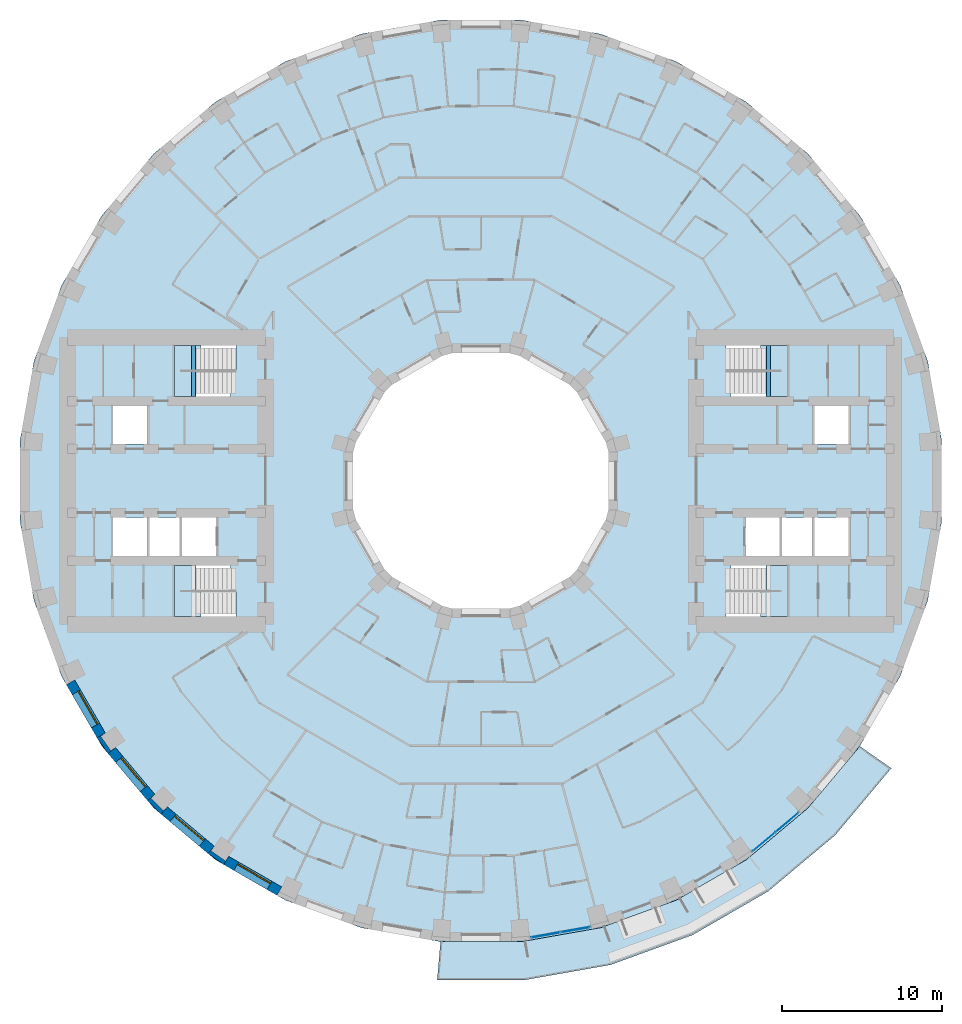
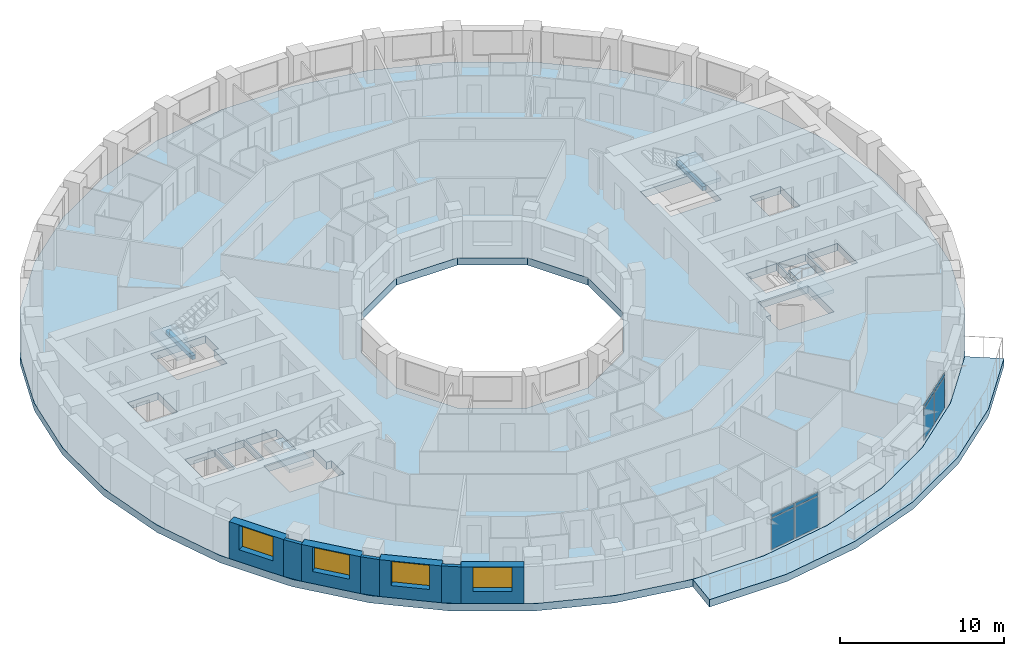
# One storey, part 4 of 17: 8 plates, 7 walls, 6 slabs, 4 windows, 2 beams, 4 openings, 6 elements without a shape of their own.
"""IFC4 building model written with IfcOpenShell, lengths in metres."""

import ifcopenshell
import ifcopenshell.guid

model = None  # the IFC model being written
_history = None  # IfcOwnerHistory: only IFC2X3 demands one
_inside = {}  # id of a spatial element -> (the spatial element, [elements in it])
_under = {}  # id of a project, library or spatial element -> (it, [spatial elements below it])
_declared = {}  # id of a project -> (the project, [libraries it declares])
_typed = {}  # id of a type object -> (the type object, [elements of that type])
_made_of = {}  # id of a material, layer set ... -> (it, [elements and type objects made of it])


def new_model(schema):
    """Start an empty IFC model of exactly this schema.

    Asked for "IFC4X3", IfcOpenShell would pick the latest addendum, in which some entities
    have other attributes; the version numbers below select the first issue.
    IFC2X3 requires an IfcOwnerHistory on every rooted entity: one is made here for all.
    """
    global model, _history
    if schema == "IFC4X3":
        model = ifcopenshell.file(schema_version=(4, 3, 0, 0))
    else:
        model = ifcopenshell.file(schema=schema)
    _inside.clear()
    _under.clear()
    _declared.clear()
    _typed.clear()
    _made_of.clear()
    _history = None
    if model.schema == "IFC2X3":
        org = make("IfcOrganization", Name="unknown")
        user = make(
            "IfcPersonAndOrganization",
            ThePerson=make("IfcPerson", FamilyName="unknown"),
            TheOrganization=org,
        )
        app = make(
            "IfcApplication",
            ApplicationDeveloper=org,
            Version="unknown",
            ApplicationFullName="unknown",
            ApplicationIdentifier="unknown",
        )
        _history = make(
            "IfcOwnerHistory",
            OwningUser=user,
            OwningApplication=app,
            ChangeAction="ADDED",
            CreationDate=0,
        )
    return model


def make(cls, **values):
    """One entity of the class cls with the attributes given. An attribute that is None is left unset."""
    return model.create_entity(
        cls, **{name: value for name, value in values.items() if value is not None}
    )


def rooted(cls, **values):
    """An entity with a GlobalId (a new one), such as an element, a storey or a relation."""
    return make(cls, GlobalId=ifcopenshell.guid.new(), OwnerHistory=_history, **values)


def si_unit(unit_type, name, prefix=None):
    """IfcSIUnit, for example si_unit("LENGTHUNIT", "METRE", prefix="MILLI")."""
    return make("IfcSIUnit", UnitType=unit_type, Prefix=prefix, Name=name)


def assignment(units):
    """IfcUnitAssignment: the units of a project."""
    return None if units is None else make("IfcUnitAssignment", Units=units)


def point(xyz):
    """IfcCartesianPoint."""
    return None if xyz is None else make("IfcCartesianPoint", Coordinates=xyz)


def direction(xyz):
    """IfcDirection."""
    return None if xyz is None else make("IfcDirection", DirectionRatios=xyz)


def frame(location, z_axis=None, x_axis=None):
    """IfcAxis2Placement3D, a coordinate frame: its origin and axes. An axis left out is left unset."""
    return make(
        "IfcAxis2Placement3D",
        Location=point(location),
        Axis=direction(z_axis),
        RefDirection=direction(x_axis),
    )


def frame_2d(location, x_axis=None):
    """IfcAxis2Placement2D, a coordinate frame in the plane: its origin and x axis."""
    return make(
        "IfcAxis2Placement2D", Location=point(location), RefDirection=direction(x_axis)
    )


def origin():
    """The frame at (0, 0, 0) with its axes left unset."""
    return frame((0.0, 0.0, 0.0))


def origin_2d():
    """The frame at (0, 0) in the plane with its x axis left unset."""
    return frame_2d((0.0, 0.0))


def place(relative_to, where):
    """IfcLocalPlacement: puts the frame where relative to a parent placement (None: the world)."""
    return make(
        "IfcLocalPlacement", PlacementRelTo=relative_to, RelativePlacement=where
    )


def context(
    kind, dimensions, precision=None, world=None, true_north=None, identifier=None
):
    """IfcGeometricRepresentationContext, for example the 3D "Model" context."""
    return make(
        "IfcGeometricRepresentationContext",
        ContextIdentifier=identifier,
        ContextType=kind,
        CoordinateSpaceDimension=dimensions,
        Precision=precision,
        WorldCoordinateSystem=world,
        TrueNorth=true_north,
    )


def subcontext(parent, identifier, kind, view, scale=None):
    """IfcGeometricRepresentationSubContext, for example "Body" below "Model"."""
    return make(
        "IfcGeometricRepresentationSubContext",
        ContextIdentifier=identifier,
        ContextType=kind,
        ParentContext=parent,
        TargetScale=scale,
        TargetView=view,
    )


def project(units=None, contexts=None):
    """IfcProject with its units and contexts."""
    return rooted(
        "IfcProject",
        Name="project",
        RepresentationContexts=contexts,
        UnitsInContext=assignment(units),
    )


def spatial(cls, under=None, at=None, **own):
    """A site, building, storey or space (cls), placed at a placement, below another one or the project."""
    s = rooted(cls, ObjectPlacement=at, **own)
    if under is not None:
        _under.setdefault(under.id(), (under, []))[1].append(s)
    return s


def polyline(points):
    """IfcPolyline through the points."""
    return make("IfcPolyline", Points=[point(p) for p in points])


def profile(cls, at=None, kind="AREA", **sizes):
    """A parametric profile (cls). Its sizes go by their IFC names, for example OverallWidth=200.0."""
    return make(cls, ProfileType=kind, Position=at, **sizes)


def rectangle(**sizes):
    """IfcRectangleProfileDef."""
    return profile("IfcRectangleProfileDef", **sizes)


def outline(outer, holes=None, kind="AREA"):
    """IfcArbitraryClosedProfileDef: a profile drawn as a closed curve; with holes, ...WithVoids."""
    if holes is None:
        return make("IfcArbitraryClosedProfileDef", ProfileType=kind, OuterCurve=outer)
    return make(
        "IfcArbitraryProfileDefWithVoids",
        ProfileType=kind,
        OuterCurve=outer,
        InnerCurves=holes,
    )


def extrude(swept, where, along, depth):
    """IfcExtrudedAreaSolid: the profile swept, set in the frame where, extruded along a direction by depth."""
    return make(
        "IfcExtrudedAreaSolid",
        SweptArea=swept,
        Position=where,
        ExtrudedDirection=direction(along),
        Depth=depth,
    )


def shape(context_of_items, identifier, shape_type, items):
    """IfcShapeRepresentation: the items that make up one representation, for example the "Body"."""
    return make(
        "IfcShapeRepresentation",
        ContextOfItems=context_of_items,
        RepresentationIdentifier=identifier,
        RepresentationType=shape_type,
        Items=items,
    )


def material(Name=None, Category=None):
    """IfcMaterial."""
    return make("IfcMaterial", Name=Name, Category=Category)


def layer(
    of_material, thickness, ventilated=None, Name=None, Category=None, Priority=None
):
    """IfcMaterialLayer: one layer of a wall or slab, of a material (None: an air gap)."""
    return make(
        "IfcMaterialLayer",
        Material=of_material,
        LayerThickness=thickness,
        IsVentilated=ventilated,
        Name=Name,
        Category=Category,
        Priority=Priority,
    )


def layer_set(layers, Name=None):
    """IfcMaterialLayerSet."""
    return make("IfcMaterialLayerSet", MaterialLayers=layers, LayerSetName=Name)


def material_profile(
    of_material, cross_section, Name=None, Category=None, Priority=None
):
    """IfcMaterialProfile: a cross section and its material."""
    return make(
        "IfcMaterialProfile",
        Name=Name,
        Material=of_material,
        Profile=cross_section,
        Priority=Priority,
        Category=Category,
    )


def profile_set(profiles, Name=None, composite=None):
    """IfcMaterialProfileSet."""
    return make(
        "IfcMaterialProfileSet",
        Name=Name,
        MaterialProfiles=profiles,
        CompositeProfile=composite,
    )


def made_of(thing, what):
    """Note that an element or type object is made of a material, layer set ...; save() writes the relation."""
    if what is not None:
        _made_of.setdefault(what.id(), (what, []))[1].append(thing)
    return thing


def type_object(cls, material=None, **own):
    """A type object (cls), such as IfcWallType, which elements share."""
    return made_of(rooted(cls, **own), material)


def element(
    cls,
    number,
    at=None,
    inside=None,
    cuts=None,
    type_object=None,
    material=None,
    context=None,
    identifier="Body",
    shape_type=None,
    held_by="IfcProductDefinitionShape",
    body=None,
    shapes=None,
    **own,
):
    """One element of the class cls, such as IfcWall. Its Tag is "e" and its number.

    at: its placement. inside: the storey or other place that contains it. cuts: it is an
    opening in that element (IfcRelVoidsElement). A single representation is given by context,
    identifier, shape_type and body (its items); several are given by shapes. held_by: the class
    of the entity that holds the representations. save() writes the other relations.
    """
    e = rooted(cls, Tag="e%d" % number, ObjectPlacement=at, **own)
    if body is not None:
        shapes = [shape(context, identifier, shape_type, body)]
    if shapes is not None:
        e.Representation = make(held_by, Representations=shapes)
    if inside is not None:
        _inside.setdefault(inside.id(), (inside, []))[1].append(e)
    if cuts is not None:
        rooted(
            "IfcRelVoidsElement", RelatingBuildingElement=cuts, RelatedOpeningElement=e
        )
    if type_object is not None:
        _typed.setdefault(type_object.id(), (type_object, []))[1].append(e)
    return made_of(e, material)


def fill(opening, filler):
    """IfcRelFillsElement: the door or window that sits in an opening."""
    return rooted(
        "IfcRelFillsElement",
        RelatingOpeningElement=opening,
        RelatedBuildingElement=filler,
    )


def aggregate(whole, parts):
    """IfcRelAggregates: a whole, such as a stair, and the parts it consists of."""
    return rooted("IfcRelAggregates", RelatingObject=whole, RelatedObjects=parts)


def save(model, path):
    """Write the relations noted so far, then the file.

    IfcRelAggregates (storeys below a building ...), IfcRelContainedInSpatialStructure (elements
    in a storey), IfcRelDefinesByType, IfcRelAssociatesMaterial and IfcRelDeclares: one each for
    every whole, place, type object, material and project.
    """
    for whole, parts in _under.values():
        aggregate(whole, parts)
    for where, things in _inside.values():
        rooted(
            "IfcRelContainedInSpatialStructure",
            RelatedElements=things,
            RelatingStructure=where,
        )
    for kind, things in _typed.values():
        rooted("IfcRelDefinesByType", RelatedObjects=things, RelatingType=kind)
    for what, things in _made_of.values():
        rooted("IfcRelAssociatesMaterial", RelatedObjects=things, RelatingMaterial=what)
    for by, libraries in _declared.values():
        rooted("IfcRelDeclares", RelatingContext=by, RelatedDefinitions=libraries)
    model.write(path)


model = new_model("IFC4")

# Units and contexts
model_context = context("Model", 3, precision=1e-05, world=origin(), true_north=direction((0.0, 1.0)))
body_context = subcontext(model_context, "Body", "Model", "MODEL_VIEW")
ifc_project = project(units=[si_unit("LENGTHUNIT", "METRE"), si_unit("AREAUNIT", "SQUARE_METRE"), si_unit("VOLUMEUNIT", "CUBIC_METRE"), si_unit("PLANEANGLEUNIT", "RADIAN"), si_unit("MASSUNIT", "GRAM", prefix="KILO")], contexts=[model_context])

# Site, building, storey
site_placement = place(None, origin())
site = spatial("IfcSite", under=ifc_project, at=site_placement, CompositionType="ELEMENT")
building_placement = place(site_placement, origin())
building = spatial("IfcBuilding", under=site, at=building_placement, Name="Saqina Gate Tower", CompositionType="ELEMENT")
storey_placement = place(building_placement, frame((0.0, 0.0, 29.60009765625)))
storey = spatial("IfcBuildingStorey", under=building, at=storey_placement, Name="L07", CompositionType="ELEMENT", Elevation=29.60009765625)

# Beams
ifc_material_1 = material(Name="Concrete C40/50", Category="concrete")
ifc_material_profile = material_profile(ifc_material_1, rectangle(XDim=0.25, YDim=0.300048828125, at=origin_2d()), Name="STAIR LANDING BEAM")
ifc_profile_set = profile_set([ifc_material_profile], Name="Concrete C40/50")
beam_type = type_object("IfcBeamType", Name="STAIR LANDING BEAM", PredefinedType="BEAM", material=ifc_profile_set)
for number, where, z_axis, x_axis, name in (
    (1, (18.02001953125, 5.300048828125, 1.25), (0.0, 1.0, 0.0), (-1.0, 0.0, 0.0), "EXIT STAIR 1 LANDING BEAM"),
    (2, (-18.02001953125, 5.300048828125, 1.25), (0.0, 1.0, 0.0), (-1.0, 0.0, 0.0), "EXIT STAIR 3 LANDING BEAM"),
):
    element("IfcBeam", number, at=place(storey_placement, frame(where, z_axis=z_axis, x_axis=x_axis)), inside=storey, type_object=beam_type, Name=name, PredefinedType="BEAM", context=body_context, shape_type="SweptSolid", body=[
        extrude(rectangle(XDim=0.25, YDim=0.300048828125, at=origin_2d()), origin(), (0.0, 0.0, 1.0), 3.199951171875),
    ])

# Curtain wall, plates
ifc_material_2 = material(Name="Aluminium glazing", Category="aluminium")
ifc_layer_1 = layer(ifc_material_2, 0.159912109375)
ifc_layer_set_1 = layer_set([ifc_layer_1], Name="CWT-4")
curtain_wall_type = type_object("IfcCurtainWallType", Name="CWT-4", PredefinedType="NOTDEFINED", material=ifc_layer_set_1)
curtain_wall_1_placement = place(storey_placement, origin())
curtain_wall_1 = element("IfcCurtainWall", 3, at=curtain_wall_1_placement, inside=storey, type_object=curtain_wall_type, Name="Terrace lounge glazing facet 28", PredefinedType="NOTDEFINED")
ifc_material_3 = material(Name="Glass", Category="glass")
ifc_layer_2 = layer(ifc_material_3, 0.028076171875)
ifc_layer_set_2 = layer_set([ifc_layer_2], Name="CWT-4P")
plate_type = type_object("IfcPlateType", Name="CWT-4P", PredefinedType="CURTAIN_PANEL", material=ifc_layer_set_2)
plate_1_placement = place(storey_placement, frame((4.05859375, -28.46728515625, 0.059814453125), z_axis=(0.0, 0.0, 1.0), x_axis=(0.984808678199, 0.17364293059, 0.0)))
plate_1 = element("IfcPlate", 4, at=plate_1_placement, type_object=plate_type, Name="CW4-28 panel 1.1", PredefinedType="CURTAIN_PANEL", context=body_context, shape_type="SweptSolid", body=[
    extrude(rectangle(XDim=1.8330078125, YDim=0.028076171875, at=origin_2d()), origin(), (0.0, 0.0, 1.0), 2.31005859375),
])
plate_2_placement = place(storey_placement, frame((4.05859375, -28.46728515625, 2.4296875), z_axis=(0.0, 0.0, 1.0), x_axis=(0.984808678199, 0.17364293059, 0.0)))
plate_2 = element("IfcPlate", 5, at=plate_2_placement, type_object=plate_type, Name="CW4-28 panel 1.2", PredefinedType="CURTAIN_PANEL", context=body_context, shape_type="SweptSolid", body=[
    extrude(rectangle(XDim=1.8330078125, YDim=0.028076171875, at=origin_2d()), origin(), (0.0, 0.0, 1.0), 0.260009765625),
])
plate_3_placement = place(storey_placement, frame((5.922607421875, -28.138671875, 0.059814453125), z_axis=(0.0, 0.0, 1.0), x_axis=(0.984808678199, 0.17364293059, 0.0)))
plate_3 = element("IfcPlate", 6, at=plate_3_placement, type_object=plate_type, Name="CW4-28 panel 2.1", PredefinedType="CURTAIN_PANEL", context=body_context, shape_type="SweptSolid", body=[
    extrude(rectangle(XDim=1.8330078125, YDim=0.028076171875, at=origin_2d()), origin(), (0.0, 0.0, 1.0), 2.31005859375),
])
plate_4_placement = place(storey_placement, frame((5.922607421875, -28.138671875, 2.4296875), z_axis=(0.0, 0.0, 1.0), x_axis=(0.984808678199, 0.17364293059, 0.0)))
plate_4 = element("IfcPlate", 7, at=plate_4_placement, type_object=plate_type, Name="CW4-28 panel 2.2", PredefinedType="CURTAIN_PANEL", context=body_context, shape_type="SweptSolid", body=[
    extrude(rectangle(XDim=1.8330078125, YDim=0.028076171875, at=origin_2d()), origin(), (0.0, 0.0, 1.0), 0.260009765625),
])
aggregate(curtain_wall_1, [plate_1, plate_2, plate_3, plate_4])

curtain_wall_2_placement = place(storey_placement, origin())
curtain_wall_2 = element("IfcCurtainWall", 8, at=curtain_wall_2_placement, inside=storey, type_object=curtain_wall_type, Name="Terrace lounge glazing facet 31", PredefinedType="NOTDEFINED")
plate_5_placement = place(storey_placement, frame((17.74853515625, -22.624267578125, 0.059814453125), z_axis=(0.0, 0.0, 1.0), x_axis=(0.766040784332, 0.642791970033, 0.0)))
plate_5 = element("IfcPlate", 9, at=plate_5_placement, type_object=plate_type, Name="CW4-31 panel 1.1", PredefinedType="CURTAIN_PANEL", context=body_context, shape_type="SweptSolid", body=[
    extrude(rectangle(XDim=1.8330078125, YDim=0.028076171875, at=origin_2d()), origin(), (0.0, 0.0, 1.0), 2.31005859375),
])
plate_6_placement = place(storey_placement, frame((17.74853515625, -22.624267578125, 2.4296875), z_axis=(0.0, 0.0, 1.0), x_axis=(0.766040784332, 0.642791970033, 0.0)))
plate_6 = element("IfcPlate", 10, at=plate_6_placement, type_object=plate_type, Name="CW4-31 panel 1.2", PredefinedType="CURTAIN_PANEL", context=body_context, shape_type="SweptSolid", body=[
    extrude(rectangle(XDim=1.8330078125, YDim=0.028076171875, at=origin_2d()), origin(), (0.0, 0.0, 1.0), 0.260009765625),
])
plate_7_placement = place(storey_placement, frame((19.198486328125, -21.407470703125, 0.059814453125), z_axis=(0.0, 0.0, 1.0), x_axis=(0.766040784332, 0.642791970033, 0.0)))
plate_7 = element("IfcPlate", 11, at=plate_7_placement, type_object=plate_type, Name="CW4-31 panel 2.1", PredefinedType="CURTAIN_PANEL", context=body_context, shape_type="SweptSolid", body=[
    extrude(rectangle(XDim=1.8330078125, YDim=0.028076171875, at=origin_2d()), origin(), (0.0, 0.0, 1.0), 2.31005859375),
])
plate_8_placement = place(storey_placement, frame((19.198486328125, -21.407470703125, 2.4296875), z_axis=(0.0, 0.0, 1.0), x_axis=(0.766040784332, 0.642791970033, 0.0)))
plate_8 = element("IfcPlate", 12, at=plate_8_placement, type_object=plate_type, Name="CW4-31 panel 2.2", PredefinedType="CURTAIN_PANEL", context=body_context, shape_type="SweptSolid", body=[
    extrude(rectangle(XDim=1.8330078125, YDim=0.028076171875, at=origin_2d()), origin(), (0.0, 0.0, 1.0), 0.260009765625),
])
aggregate(curtain_wall_2, [plate_5, plate_6, plate_7, plate_8])

# Stair, slab
ifc_material_4 = material(Name="Concrete C40/50", Category="concrete")
stair_type = type_object("IfcStairType", Name="EXIT STAIR", PredefinedType="HALF_TURN_STAIR", material=ifc_material_4)
stair_1_placement = place(storey_placement, origin())
stair_1 = element("IfcStair", 13, at=stair_1_placement, inside=storey, type_object=stair_type, Name="EXIT STAIR 1", PredefinedType="HALF_TURN_STAIR")
ifc_material_5 = material(Name="Concrete C40/50", Category="concrete")
ifc_layer_3 = layer(ifc_material_5, 0.25)
ifc_layer_set_3 = layer_set([ifc_layer_3], Name="Concrete C40/50")
slab_type_1 = type_object("IfcSlabType", Name="EXIT STAIR LANDING", PredefinedType="LANDING", material=ifc_layer_set_3)
slab_1_placement = place(storey_placement, frame((0.0, 0.0, 1.39990234375)))
slab_1 = element("IfcSlab", 14, at=slab_1_placement, type_object=slab_type_1, Name="EXIT STAIR 1 LANDING 1", PredefinedType="LANDING", context=body_context, shape_type="SweptSolid", body=[
    extrude(outline(polyline([(19.219970703125, 8.5), (19.219970703125, 5.300048828125), (17.864990234375, 5.300048828125), (17.864990234375, 6.89990234375), (17.534423828125, 6.89990234375), (17.534423828125, 8.5), (17.864990234375, 8.5), (17.8701171875, 8.5), (19.219970703125, 8.5)])), origin(), (0.0, 0.0, 1.0), 0.25),
])
aggregate(stair_1, [slab_1])

stair_2_placement = place(storey_placement, origin())
stair_2 = element("IfcStair", 15, at=stair_2_placement, inside=storey, type_object=stair_type, Name="EXIT STAIR 2", PredefinedType="HALF_TURN_STAIR")
slab_2_placement = place(storey_placement, frame((0.0, 0.0, 1.39990234375)))
slab_2 = element("IfcSlab", 16, at=slab_2_placement, type_object=slab_type_1, Name="EXIT STAIR 2 LANDING 1", PredefinedType="LANDING", context=body_context, shape_type="SweptSolid", body=[
    extrude(outline(polyline([(17.534423828125, -8.5), (17.534423828125, -6.89990234375), (17.864990234375, -6.89990234375), (17.864990234375, -5.300048828125), (19.219970703125, -5.300048828125), (19.219970703125, -8.5), (17.8701171875, -8.5), (17.864990234375, -8.5), (17.534423828125, -8.5)])), origin(), (0.0, 0.0, 1.0), 0.25),
])
aggregate(stair_2, [slab_2])

stair_3_placement = place(storey_placement, origin())
stair_3 = element("IfcStair", 17, at=stair_3_placement, inside=storey, type_object=stair_type, Name="EXIT STAIR 3", PredefinedType="HALF_TURN_STAIR")
slab_3_placement = place(storey_placement, frame((0.0, 0.0, 1.39990234375)))
slab_3 = element("IfcSlab", 18, at=slab_3_placement, type_object=slab_type_1, Name="EXIT STAIR 3 LANDING 1", PredefinedType="LANDING", context=body_context, shape_type="SweptSolid", body=[
    extrude(outline(polyline([(-17.864990234375, 5.300048828125), (-19.219970703125, 5.300048828125), (-19.219970703125, 8.5), (-17.8701171875, 8.5), (-17.864990234375, 8.5), (-17.534423828125, 8.5), (-17.534423828125, 6.89990234375), (-17.864990234375, 6.89990234375), (-17.864990234375, 5.300048828125)])), origin(), (0.0, 0.0, 1.0), 0.25),
])
aggregate(stair_3, [slab_3])

stair_4_placement = place(storey_placement, origin())
stair_4 = element("IfcStair", 19, at=stair_4_placement, inside=storey, type_object=stair_type, Name="EXIT STAIR 4", PredefinedType="HALF_TURN_STAIR")
slab_4_placement = place(storey_placement, frame((0.0, 0.0, 1.39990234375)))
slab_4 = element("IfcSlab", 20, at=slab_4_placement, type_object=slab_type_1, Name="EXIT STAIR 4 LANDING 1", PredefinedType="LANDING", context=body_context, shape_type="SweptSolid", body=[
    extrude(outline(polyline([(-17.534423828125, -6.89990234375), (-17.534423828125, -8.5), (-17.864990234375, -8.5), (-17.8701171875, -8.5), (-19.219970703125, -8.5), (-19.219970703125, -5.300048828125), (-17.864990234375, -5.300048828125), (-17.864990234375, -6.89990234375), (-17.534423828125, -6.89990234375)])), origin(), (0.0, 0.0, 1.0), 0.25),
])
aggregate(stair_4, [slab_4])

# Slabs
ifc_material_6 = material(Name="Concrete C40/50", Category="concrete")
ifc_layer_4 = layer(ifc_material_6, 0.550048828125)
ifc_layer_set_4 = layer_set([ifc_layer_4], Name="Concrete C40/50")
slab_type_2 = type_object("IfcSlabType", Name="STR-POST-TENSIONED FLAT PLATE FLOOR-550", PredefinedType="FLOOR", material=ifc_layer_set_4)
slab_5_placement = place(storey_placement, frame((0.0, 0.0, -0.550048828125)))
element("IfcSlab", 21, at=slab_5_placement, inside=storey, type_object=slab_type_2, Name="L07-SLB01", PredefinedType="FLOOR", context=body_context, shape_type="SweptSolid", body=[
    extrude(outline(polyline([(28.011962890625, -7.505859375), (28.8896484375, -2.527587890625), (28.8896484375, 2.527587890625), (28.011962890625, 7.505859375), (26.282958984375, 12.255859375), (23.75537109375, 16.6337890625), (20.506103515625, 20.506103515625), (16.6337890625, 23.75537109375), (12.255859375, 26.282958984375), (7.505859375, 28.011962890625), (2.527587890625, 28.8896484375), (-2.527587890625, 28.8896484375), (-7.505859375, 28.011962890625), (-12.255859375, 26.282958984375), (-16.6337890625, 23.75537109375), (-20.506103515625, 20.506103515625), (-23.75537109375, 16.6337890625), (-26.282958984375, 12.255859375), (-28.011962890625, 7.505859375), (-28.8896484375, 2.527587890625), (-28.8896484375, -2.527587890625), (-28.011962890625, -7.505859375), (-26.282958984375, -12.255859375), (-23.75537109375, -16.6337890625), (-20.506103515625, -20.506103515625), (-16.6337890625, -23.75537109375), (-12.255859375, -26.282958984375), (-7.505859375, -28.011962890625), (-2.527587890625, -28.8896484375), (2.527587890625, -28.8896484375), (7.505859375, -28.011962890625), (12.255859375, -26.282958984375), (16.6337890625, -23.75537109375), (20.506103515625, -20.506103515625), (23.75537109375, -16.6337890625), (26.282958984375, -12.255859375), (28.011962890625, -7.505859375)]), holes=[polyline([(2.1435546875, 8.0), (5.8564453125, 5.8564453125), (8.0, 2.1435546875), (8.0, -2.1435546875), (5.8564453125, -5.8564453125), (2.1435546875, -8.0), (-2.1435546875, -8.0), (-5.8564453125, -5.8564453125), (-8.0, -2.1435546875), (-8.0, 2.1435546875), (-5.8564453125, 5.8564453125), (-2.1435546875, 8.0), (2.1435546875, 8.0)]), polyline([(-19.219970703125, -8.5), (-19.219970703125, -6.89990234375), (-19.219970703125, -5.300048828125), (-15.685546875, -5.300048828125), (-15.685546875, -6.89990234375), (-15.35498046875, -6.89990234375), (-15.35498046875, -8.5), (-19.219970703125, -8.5)]), polyline([(-20.89990234375, -2.300048828125), (-20.89990234375, -4.699951171875), (-23.06005859375, -4.699951171875), (-23.06005859375, -2.300048828125), (-20.89990234375, -2.300048828125)]), polyline([(-18.8701171875, -2.300048828125), (-18.8701171875, -4.699951171875), (-20.780029296875, -4.699951171875), (-20.780029296875, -2.300048828125), (-18.8701171875, -2.300048828125)]), polyline([(-16.590087890625, -2.300048828125), (-16.590087890625, -4.699951171875), (-18.75, -4.699951171875), (-18.75, -2.300048828125), (-16.590087890625, -2.300048828125)]), polyline([(-20.89990234375, 4.699951171875), (-20.89990234375, 2.300048828125), (-23.06005859375, 2.300048828125), (-23.06005859375, 4.699951171875), (-20.89990234375, 4.699951171875)]), polyline([(-19.219970703125, 6.89990234375), (-19.219970703125, 8.5), (-15.35498046875, 8.5), (-15.35498046875, 6.89990234375), (-15.685546875, 6.89990234375), (-15.685546875, 5.300048828125), (-19.219970703125, 5.300048828125), (-19.219970703125, 6.89990234375)]), polyline([(15.35498046875, -6.89990234375), (15.685546875, -6.89990234375), (15.685546875, -5.300048828125), (19.219970703125, -5.300048828125), (19.219970703125, -6.89990234375), (19.219970703125, -8.5), (15.35498046875, -8.5), (15.35498046875, -6.89990234375)]), polyline([(18.75, -2.300048828125), (18.75, -4.699951171875), (16.590087890625, -4.699951171875), (16.590087890625, -2.300048828125), (18.75, -2.300048828125)]), polyline([(20.780029296875, -2.300048828125), (20.780029296875, -4.699951171875), (18.8701171875, -4.699951171875), (18.8701171875, -2.300048828125), (20.780029296875, -2.300048828125)]), polyline([(23.06005859375, -2.300048828125), (23.06005859375, -4.699951171875), (20.89990234375, -4.699951171875), (20.89990234375, -2.300048828125), (23.06005859375, -2.300048828125)]), polyline([(23.06005859375, 4.699951171875), (23.06005859375, 2.300048828125), (20.89990234375, 2.300048828125), (20.89990234375, 4.699951171875), (23.06005859375, 4.699951171875)]), polyline([(15.685546875, 6.89990234375), (15.35498046875, 6.89990234375), (15.35498046875, 8.5), (19.219970703125, 8.5), (19.219970703125, 6.89990234375), (19.219970703125, 5.300048828125), (15.685546875, 5.300048828125), (15.685546875, 6.89990234375)])]), origin(), (0.0, 0.0, 1.0), 0.550048828125),
])
ifc_material_7 = material(Name="Concrete C40/50", Category="concrete")
ifc_layer_5 = layer(ifc_material_7, 0.550048828125)
ifc_layer_set_5 = layer_set([ifc_layer_5], Name="Concrete C40/50")
slab_type_3 = type_object("IfcSlabType", Name="STR-POST-TENSIONED FLAT PLATE TERRACE-550", PredefinedType="FLOOR", material=ifc_layer_set_5)
slab_6_placement = place(storey_placement, frame((0.0, 0.0, -0.550048828125)))
element("IfcSlab", 22, at=slab_6_placement, inside=storey, type_object=slab_type_3, Name="L07-TRS01", PredefinedType="FLOOR", context=body_context, shape_type="SweptSolid", body=[
    extrude(outline(polyline([(-2.527587890625, -28.8896484375), (2.527587890625, -28.8896484375), (7.505859375, -28.011962890625), (12.255859375, -26.282958984375), (16.6337890625, -23.75537109375), (20.506103515625, -20.506103515625), (23.75537109375, -16.6337890625), (25.72900390625, -18.015625), (22.209716796875, -22.209716796875), (18.015625, -25.72900390625), (13.274169921875, -28.46630859375), (8.12939453125, -30.3388671875), (2.737548828125, -31.28955078125), (-2.737548828125, -31.28955078125), (-2.527587890625, -28.8896484375)])), origin(), (0.0, 0.0, 1.0), 0.550048828125),
])

# Walls
ifc_material_8 = material(Name="Brick masonry (red)", Category="masonry")
wall_type_1 = type_object("IfcWallType", Name="BRICK PIER COPING RED", PredefinedType="SOLIDWALL", material=ifc_material_8)
wall_1_placement = place(storey_placement, origin())
element("IfcWall", 23, at=wall_1_placement, inside=storey, type_object=wall_type_1, Name="Pier cap L07 column 22", PredefinedType="SOLIDWALL", context=body_context, shape_type="SweptSolid", body=[
    extrude(outline(polyline([(-24.0576171875, -16.110107421875), (-23.36669921875, -17.096923828125), (-22.9072265625, -16.711181640625), (-23.194091796875, -16.912109375), (-23.8251953125, -16.010986328125), (-23.5380859375, -15.81005859375), (-24.0576171875, -16.110107421875)])), origin(), (0.0, 0.0, 1.0), 2.75),
])
wall_2_placement = place(storey_placement, origin())
element("IfcWall", 24, at=wall_2_placement, inside=storey, type_object=wall_type_1, Name="Pier cap L07 column 23", PredefinedType="SOLIDWALL", context=body_context, shape_type="SweptSolid", body=[
    extrude(outline(polyline([(-20.04296875, -20.894775390625), (-19.6572265625, -20.43505859375), (-19.905029296875, -20.682861328125), (-20.682861328125, -19.905029296875), (-20.43505859375, -19.6572265625), (-20.894775390625, -20.04296875), (-20.04296875, -20.894775390625)])), origin(), (0.0, 0.0, 1.0), 2.75),
])
wall_3_placement = place(storey_placement, origin())
element("IfcWall", 25, at=wall_3_placement, inside=storey, type_object=wall_type_1, Name="Pier cap L07 column 24", PredefinedType="SOLIDWALL", context=body_context, shape_type="SweptSolid", body=[
    extrude(outline(polyline([(-17.096923828125, -23.36669921875), (-16.110107421875, -24.0576171875), (-15.81005859375, -23.5380859375), (-16.010986328125, -23.8251953125), (-16.912109375, -23.194091796875), (-16.711181640625, -22.9072265625), (-17.096923828125, -23.36669921875)])), origin(), (0.0, 0.0, 1.0), 2.75),
])

# Wall, opening, window
ifc_material_9 = material(Name="Brick masonry (red)", Category="masonry")
ifc_layer_6 = layer(ifc_material_9, 0.60009765625)
ifc_layer_set_6 = layer_set([ifc_layer_6], Name="FW-BRICK-RED")
wall_type_2 = type_object("IfcWallType", Name="FW-BRICK-RED", PredefinedType="SOLIDWALL", material=ifc_layer_set_6)
wall_4_placement = place(storey_placement, frame((-25.720703125, -12.629638671875, 0.0), z_axis=(0.0, 0.0, 1.0), x_axis=(0.499989888488, -0.86603124159, 0.0)))
wall_4 = element("IfcWall", 26, at=wall_4_placement, inside=storey, type_object=wall_type_2, Name="Facade wall L07 facet 21", PredefinedType="SOLIDWALL", context=body_context, shape_type="SweptSolid", body=[
    extrude(rectangle(XDim=3.845703125, YDim=0.60009765625, at=frame_2d((1.9228515625, 0.0))), origin(), (0.0, 0.0, 1.0), 2.75),
])
opening_1_placement = place(wall_4_placement, frame((0.722900390625, 0.0, 0.89990234375)))
opening_1 = element("IfcOpeningElement", 27, at=opening_1_placement, cuts=wall_4, Name="Opening G01-W14", PredefinedType="OPENING", context=body_context, shape_type="SweptSolid", body=[
    extrude(rectangle(XDim=2.39990234375, YDim=1.800048828125, at=frame_2d((1.199951171875, 0.89990234375))), frame((0.0, 0.31201171875, 0.0), z_axis=(0.0, -1.0, 0.0), x_axis=(1.0, 0.0, 0.0)), (0.0, 0.0, 1.0), 0.6240234375),
])
ifc_material_10 = material(Name="Aluminium glazing", Category="aluminium")
window_type = type_object("IfcWindowType", Name="WN-A", PartitioningType="SINGLE_PANEL", PredefinedType="WINDOW", material=ifc_material_10)
window_1_placement = place(opening_1_placement, origin())
window_1 = element("IfcWindow", 28, at=window_1_placement, inside=storey, type_object=window_type, Name="Window L07 facet 21", OverallHeight=1.800048828125, OverallWidth=2.39990234375, PartitioningType="SINGLE_PANEL", PredefinedType="WINDOW", context=body_context, shape_type="SweptSolid", body=[
    extrude(rectangle(XDim=2.39990234375, YDim=1.800048828125, at=frame_2d((1.199951171875, 0.89990234375))), frame((0.0, 0.179931640625, 0.0), z_axis=(0.0, -1.0, 0.0), x_axis=(1.0, 0.0, 0.0)), (0.0, 0.0, 1.0), 0.06005859375),
])
fill(opening_1, window_1)

wall_5_placement = place(storey_placement, frame((-23.136962890625, -16.904052734375, 0.0), z_axis=(0.0, 0.0, 1.0), x_axis=(0.642809392687, -0.766026164483, 0.0)))
wall_5 = element("IfcWall", 29, at=wall_5_placement, inside=storey, type_object=wall_type_2, Name="Facade wall L07 facet 22", PredefinedType="SOLIDWALL", context=body_context, shape_type="SweptSolid", body=[
    extrude(rectangle(XDim=3.845947265625, YDim=0.60009765625, at=frame_2d((1.9228515625, 0.0))), origin(), (0.0, 0.0, 1.0), 2.75),
])
opening_2_placement = place(wall_5_placement, frame((0.722900390625, 0.0, 0.89990234375)))
opening_2 = element("IfcOpeningElement", 30, at=opening_2_placement, cuts=wall_5, Name="Opening G01-W15", PredefinedType="OPENING", context=body_context, shape_type="SweptSolid", body=[
    extrude(rectangle(XDim=2.39990234375, YDim=1.800048828125, at=frame_2d((1.199951171875, 0.89990234375))), frame((0.0, 0.31201171875, 0.0), z_axis=(0.0, -1.0, 0.0), x_axis=(1.0, 0.0, 0.0)), (0.0, 0.0, 1.0), 0.6240234375),
])
window_2_placement = place(opening_2_placement, origin())
window_2 = element("IfcWindow", 31, at=window_2_placement, inside=storey, type_object=window_type, Name="Window L07 facet 22", OverallHeight=1.800048828125, OverallWidth=2.39990234375, PartitioningType="SINGLE_PANEL", PredefinedType="WINDOW", context=body_context, shape_type="SweptSolid", body=[
    extrude(rectangle(XDim=2.39990234375, YDim=1.800048828125, at=frame_2d((1.199951171875, 0.89990234375))), frame((0.0, 0.179931640625, 0.0), z_axis=(0.0, -1.0, 0.0), x_axis=(1.0, 0.0, 0.0)), (0.0, 0.0, 1.0), 0.06005859375),
])
fill(opening_2, window_2)

wall_6_placement = place(storey_placement, frame((-19.85009765625, -20.664794921875, 0.0), z_axis=(0.0, 0.0, 1.0), x_axis=(0.766026164483, -0.642809392687, 0.0)))
wall_6 = element("IfcWall", 32, at=wall_6_placement, inside=storey, type_object=wall_type_2, Name="Facade wall L07 facet 23", PredefinedType="SOLIDWALL", context=body_context, shape_type="SweptSolid", body=[
    extrude(rectangle(XDim=3.845947265625, YDim=0.60009765625, at=frame_2d((1.9228515625, 0.0))), origin(), (0.0, 0.0, 1.0), 2.75),
])
opening_3_placement = place(wall_6_placement, frame((0.722900390625, 0.0, 0.89990234375)))
opening_3 = element("IfcOpeningElement", 33, at=opening_3_placement, cuts=wall_6, Name="Opening G01-W16", PredefinedType="OPENING", context=body_context, shape_type="SweptSolid", body=[
    extrude(rectangle(XDim=2.39990234375, YDim=1.800048828125, at=frame_2d((1.199951171875, 0.89990234375))), frame((0.0, 0.31201171875, 0.0), z_axis=(0.0, -1.0, 0.0), x_axis=(1.0, 0.0, 0.0)), (0.0, 0.0, 1.0), 0.6240234375),
])
window_3_placement = place(opening_3_placement, origin())
window_3 = element("IfcWindow", 34, at=window_3_placement, inside=storey, type_object=window_type, Name="Window L07 facet 23", OverallHeight=1.800048828125, OverallWidth=2.39990234375, PartitioningType="SINGLE_PANEL", PredefinedType="WINDOW", context=body_context, shape_type="SweptSolid", body=[
    extrude(rectangle(XDim=2.39990234375, YDim=1.800048828125, at=frame_2d((1.199951171875, 0.89990234375))), frame((0.0, 0.179931640625, 0.0), z_axis=(0.0, -1.0, 0.0), x_axis=(1.0, 0.0, 0.0)), (0.0, 0.0, 1.0), 0.06005859375),
])
fill(opening_3, window_3)

wall_7_placement = place(storey_placement, frame((-15.960205078125, -23.7978515625, 0.0), z_axis=(0.0, 0.0, 1.0), x_axis=(0.86603124159, -0.499989888488, 0.0)))
wall_7 = element("IfcWall", 35, at=wall_7_placement, inside=storey, type_object=wall_type_2, Name="Facade wall L07 facet 24", PredefinedType="SOLIDWALL", context=body_context, shape_type="SweptSolid", body=[
    extrude(rectangle(XDim=3.845703125, YDim=0.60009765625, at=frame_2d((1.9228515625, 0.0))), origin(), (0.0, 0.0, 1.0), 2.75),
])
opening_4_placement = place(wall_7_placement, frame((0.722900390625, 0.0, 0.89990234375)))
opening_4 = element("IfcOpeningElement", 36, at=opening_4_placement, cuts=wall_7, Name="Opening G01-W17", PredefinedType="OPENING", context=body_context, shape_type="SweptSolid", body=[
    extrude(rectangle(XDim=2.39990234375, YDim=1.800048828125, at=frame_2d((1.199951171875, 0.89990234375))), frame((0.0, 0.31201171875, 0.0), z_axis=(0.0, -1.0, 0.0), x_axis=(1.0, 0.0, 0.0)), (0.0, 0.0, 1.0), 0.6240234375),
])
window_4_placement = place(opening_4_placement, origin())
window_4 = element("IfcWindow", 37, at=window_4_placement, inside=storey, type_object=window_type, Name="Window L07 facet 24", OverallHeight=1.800048828125, OverallWidth=2.39990234375, PartitioningType="SINGLE_PANEL", PredefinedType="WINDOW", context=body_context, shape_type="SweptSolid", body=[
    extrude(rectangle(XDim=2.39990234375, YDim=1.800048828125, at=frame_2d((1.199951171875, 0.89990234375))), frame((0.0, 0.179931640625, 0.0), z_axis=(0.0, -1.0, 0.0), x_axis=(1.0, 0.0, 0.0)), (0.0, 0.0, 1.0), 0.06005859375),
])
fill(opening_4, window_4)

save(model, "model.ifc")
